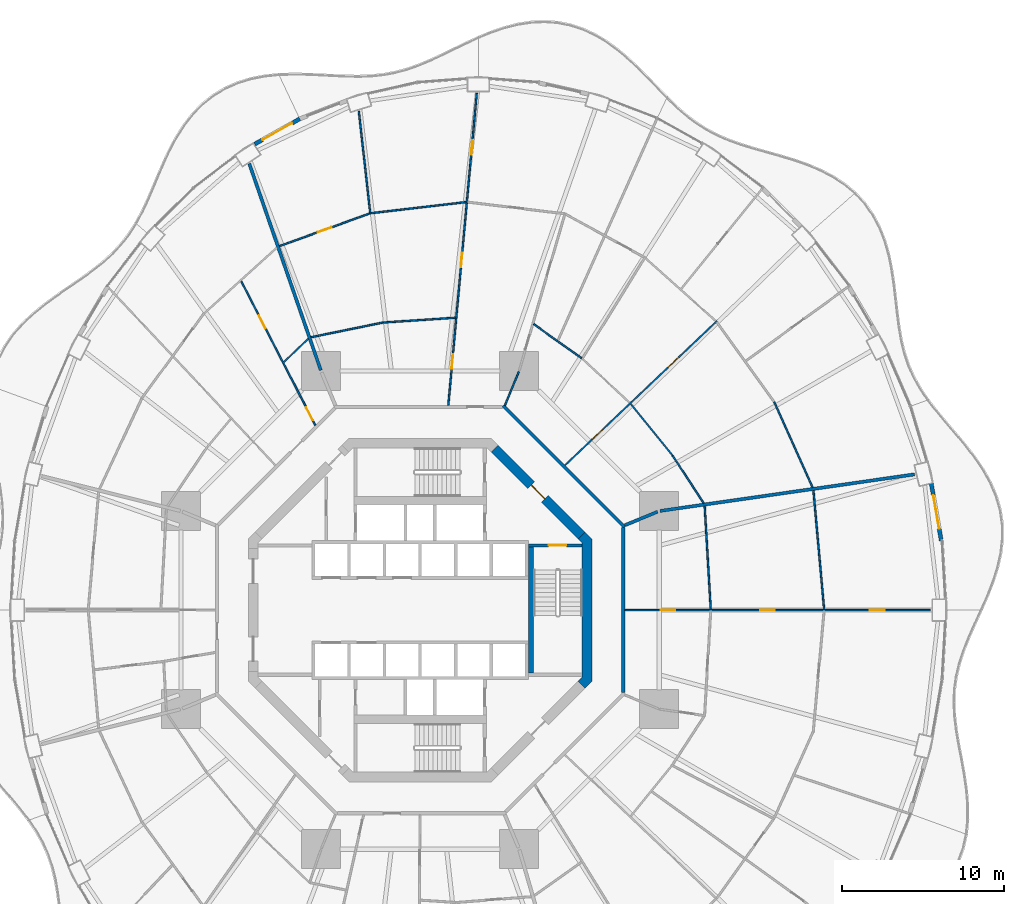
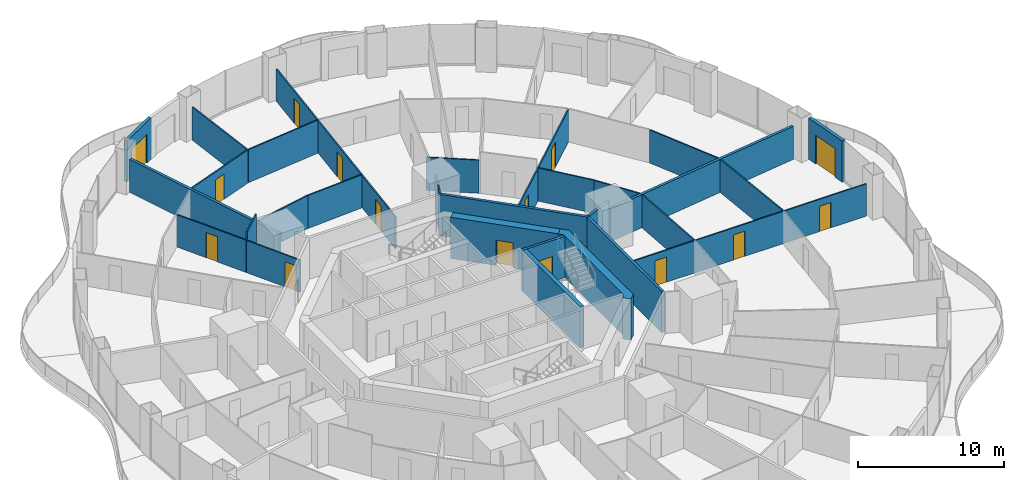
# One storey, part 18 of 22: 28 walls, 15 doors, 15 openings.
"""IFC4 building model written with IfcOpenShell, lengths in metres."""

from ifc_helpers import new_model, si_unit, direction, frame, frame_2d, origin, place, context, subcontext, project, spatial, polyline, rectangle, outline, extrude, material, layer, layer_set, type_object, element, fill, save


model = new_model("IFC4")

# Units and contexts
model_context = context("Model", 3, precision=1e-05, world=origin(), true_north=direction((0.0, 1.0)))
body_context = subcontext(model_context, "Body", "Model", "MODEL_VIEW")
ifc_project = project(units=[si_unit("LENGTHUNIT", "METRE"), si_unit("AREAUNIT", "SQUARE_METRE"), si_unit("VOLUMEUNIT", "CUBIC_METRE"), si_unit("PLANEANGLEUNIT", "RADIAN"), si_unit("MASSUNIT", "GRAM", prefix="KILO")], contexts=[model_context])

# Site, building, storey
site_placement = place(None, origin())
site = spatial("IfcSite", under=ifc_project, at=site_placement, CompositionType="ELEMENT")
building_placement = place(site_placement, origin())
building = spatial("IfcBuilding", under=site, at=building_placement, Name="Nagisa Residences", CompositionType="ELEMENT")
storey_placement = place(building_placement, frame((0.0, 0.0, 49.199951171875)))
storey = spatial("IfcBuildingStorey", under=building, at=storey_placement, Name="L11", CompositionType="ELEMENT", Elevation=49.199951171875)

# Walls
ifc_material_1 = material(Name="Gypsum board on steel studs", Category="steel")
ifc_layer_1 = layer(ifc_material_1, 0.199951171875)
ifc_layer_set_1 = layer_set([ifc_layer_1], Name="Apartment compartment wall EI60 200")
wall_type_1 = type_object("IfcWallType", Name="Apartment compartment wall EI60 200", PredefinedType="PARTITIONING", material=ifc_layer_set_1)
wall_1_placement = place(storey_placement, frame((12.6572265625, 5.24267578125, 0.0), z_axis=(0.0, 0.0, 1.0), x_axis=(0.923853160736, 0.382747093259, 0.0)))
element("IfcWall", 1, at=wall_1_placement, inside=storey, type_object=wall_type_1, Name="wall:L11:u00", PredefinedType="PARTITIONING", context=body_context, shape_type="SweptSolid", body=[
    extrude(rectangle(XDim=2.199951171875, YDim=0.199951171875, at=frame_2d((1.10009765625, 0.0))), origin(), (0.0, 0.0, 1.0), 3.43994140625),
])
wall_2_placement = place(storey_placement, frame((14.83154296875, 6.130126953125, 0.0), z_axis=(0.0, 0.0, 1.0), x_axis=(0.989836541293, 0.142209779978, 0.0)))
element("IfcWall", 2, at=wall_2_placement, inside=storey, type_object=wall_type_1, Name="wall:L11:u01", PredefinedType="PARTITIONING", context=body_context, shape_type="SweptSolid", body=[
    extrude(rectangle(XDim=15.9091796875, YDim=0.199951171875, at=frame_2d((7.95458984375, 0.0))), origin(), (0.0, 0.0, 1.0), 2.756103515625),
])
wall_3_placement = place(storey_placement, frame((-6.139404296875, 14.829345703125, 0.0), z_axis=(0.0, 0.0, 1.0), x_axis=(-0.327178799566, 0.944962450637, 0.0)))
element("IfcWall", 3, at=wall_3_placement, inside=storey, type_object=wall_type_1, Name="wall:L11:u03", PredefinedType="PARTITIONING", context=body_context, shape_type="SweptSolid", body=[
    extrude(rectangle(XDim=13.517333984375, YDim=0.199951171875, at=frame_2d((6.7587890625, 0.0))), origin(), (0.0, 0.0, 1.0), 2.756103515625),
])
ifc_material_2 = material(Name="Gypsum board on steel studs", Category="steel")
ifc_layer_2 = layer(ifc_material_2, 0.199951171875)
ifc_layer_set_2 = layer_set([ifc_layer_2], Name="Apartment entry wall EI60 200")
wall_type_2 = type_object("IfcWallType", Name="Apartment entry wall EI60 200", PredefinedType="PARTITIONING", material=ifc_layer_set_2)
wall_4_placement = place(storey_placement, frame((12.564697265625, -5.1044921875, 0.0), z_axis=(0.0, 0.0, 1.0), x_axis=(0.0, 1.0, 0.0)))
element("IfcWall", 4, at=wall_4_placement, inside=storey, type_object=wall_type_2, Name="wall:L11:u10", PredefinedType="PARTITIONING", context=body_context, shape_type="SweptSolid", body=[
    extrude(rectangle(XDim=10.208984375, YDim=0.199951171875, at=frame_2d((5.1044921875, 0.0))), origin(), (0.0, 0.0, 1.0), 3.43994140625),
])
wall_5_placement = place(storey_placement, frame((12.635498046875, 5.1337890625, 0.0), z_axis=(0.0, 0.0, 1.0), x_axis=(-0.707106781187, 0.707106781187, 0.0)))
element("IfcWall", 5, at=wall_5_placement, inside=storey, type_object=wall_type_2, Name="wall:L11:u11", PredefinedType="PARTITIONING", context=body_context, shape_type="SweptSolid", body=[
    extrude(rectangle(XDim=10.609130859375, YDim=0.199951171875, at=frame_2d((5.3046875, 0.0))), origin(), (0.0, 0.0, 1.0), 3.43994140625),
])

# Wall, openings, doors
ifc_material_3 = material(Name="Gypsum board on steel studs", Category="steel")
ifc_layer_3 = layer(ifc_material_3, 0.10009765625)
ifc_layer_set_3 = layer_set([ifc_layer_3], Name="Apartment partition 100")
wall_type_3 = type_object("IfcWallType", Name="Apartment partition 100", PredefinedType="PARTITIONING", material=ifc_layer_set_3)
wall_6_placement = place(storey_placement, frame((12.664794921875, 0.0, 0.0), z_axis=(0.0, 0.0, 1.0), x_axis=(1.0, 0.0, 0.0)))
wall_6 = element("IfcWall", 6, at=wall_6_placement, inside=storey, type_object=wall_type_3, Name="wall:L11:u18", PredefinedType="PARTITIONING", context=body_context, shape_type="SweptSolid", body=[
    extrude(rectangle(XDim=18.88525390625, YDim=0.10009765625, at=frame_2d((9.442626953125, 0.0))), origin(), (0.0, 0.0, 1.0), 2.68701171875),
])
opening_1_placement = place(wall_6_placement, frame((2.204833984375, 0.0, 0.0)))
opening_1 = element("IfcOpeningElement", 7, at=opening_1_placement, cuts=wall_6, Name="Opening L11-U32", PredefinedType="OPENING", context=body_context, shape_type="SweptSolid", body=[
    extrude(rectangle(XDim=0.89990234375, YDim=2.10009765625, at=frame_2d((0.449951171875, 1.050048828125))), frame((0.0, 0.06005859375, 0.0), z_axis=(0.0, -1.0, 0.0), x_axis=(1.0, 0.0, 0.0)), (0.0, 0.0, 1.0), 0.1201171875),
])
opening_2_placement = place(wall_6_placement, frame((8.36572265625, 0.0, 0.0)))
opening_2 = element("IfcOpeningElement", 8, at=opening_2_placement, cuts=wall_6, Name="Opening L11-U36", PredefinedType="OPENING", context=body_context, shape_type="SweptSolid", body=[
    extrude(rectangle(XDim=0.89990234375, YDim=2.10009765625, at=frame_2d((0.449951171875, 1.050048828125))), frame((0.0, 0.06005859375, 0.0), z_axis=(0.0, -1.0, 0.0), x_axis=(1.0, 0.0, 0.0)), (0.0, 0.0, 1.0), 0.1201171875),
])
opening_3_placement = place(wall_6_placement, frame((15.153564453125, 0.0, 0.0)))
opening_3 = element("IfcOpeningElement", 9, at=opening_3_placement, cuts=wall_6, Name="Opening L11-U41", PredefinedType="OPENING", context=body_context, shape_type="SweptSolid", body=[
    extrude(rectangle(XDim=0.89990234375, YDim=2.10009765625, at=frame_2d((0.449951171875, 1.050048828125))), frame((0.0, 0.06005859375, 0.0), z_axis=(0.0, -1.0, 0.0), x_axis=(1.0, 0.0, 0.0)), (0.0, 0.0, 1.0), 0.1201171875),
])
ifc_material_4 = material(Name="Timber door set", Category="wood")
door_type_1 = type_object("IfcDoorType", Name="Apartment door 900x2100", OperationType="NOTDEFINED", PredefinedType="DOOR", material=ifc_material_4)
door_1_placement = place(opening_1_placement, origin())
door_1 = element("IfcDoor", 10, at=door_1_placement, inside=storey, type_object=door_type_1, Name="Door to store, Apartment 11D", OperationType="SINGLE_SWING_RIGHT", OverallHeight=2.10009765625, OverallWidth=0.89990234375, PredefinedType="DOOR", context=body_context, shape_type="SweptSolid", body=[
    extrude(rectangle(XDim=0.89990234375, YDim=2.10009765625, at=frame_2d((0.449951171875, 1.050048828125))), frame((0.0, 0.02490234375, 0.0), z_axis=(0.0, -1.0, 0.0), x_axis=(1.0, 0.0, 0.0)), (0.0, 0.0, 1.0), 0.050048828125),
])
fill(opening_1, door_1)
door_2_placement = place(opening_2_placement, origin())
door_2 = element("IfcDoor", 11, at=door_2_placement, inside=storey, type_object=door_type_1, Name="Door to family room, Apartment 11D", OperationType="SINGLE_SWING_RIGHT", OverallHeight=2.10009765625, OverallWidth=0.89990234375, PredefinedType="DOOR", context=body_context, shape_type="SweptSolid", body=[
    extrude(rectangle(XDim=0.89990234375, YDim=2.10009765625, at=frame_2d((0.449951171875, 1.050048828125))), frame((0.0, 0.02490234375, 0.0), z_axis=(0.0, -1.0, 0.0), x_axis=(1.0, 0.0, 0.0)), (0.0, 0.0, 1.0), 0.050048828125),
])
fill(opening_2, door_2)
door_3_placement = place(opening_3_placement, origin())
door_3 = element("IfcDoor", 12, at=door_3_placement, inside=storey, type_object=door_type_1, Name="Door to family room, Apartment 11D", OperationType="SINGLE_SWING_LEFT", OverallHeight=2.10009765625, OverallWidth=0.89990234375, PredefinedType="DOOR", context=body_context, shape_type="SweptSolid", body=[
    extrude(rectangle(XDim=0.89990234375, YDim=2.10009765625, at=frame_2d((0.449951171875, 1.050048828125))), frame((0.0, 0.02490234375, 0.0), z_axis=(0.0, -1.0, 0.0), x_axis=(1.0, 0.0, 0.0)), (0.0, 0.0, 1.0), 0.050048828125),
])
fill(opening_3, door_3)

# Walls
wall_7_placement = place(storey_placement, frame((17.971435546875, 0.0498046875, 0.0), z_axis=(0.0, 0.0, 1.0), x_axis=(-0.058513659907, 0.998286607946, 0.0)))
element("IfcWall", 13, at=wall_7_placement, inside=storey, type_object=wall_type_3, Name="wall:L11:u19", PredefinedType="PARTITIONING", context=body_context, shape_type="SweptSolid", body=[
    extrude(rectangle(XDim=6.387939453125, YDim=0.10009765625, at=frame_2d((3.19384765625, 0.0))), origin(), (0.0, 0.0, 1.0), 2.756103515625),
])
wall_8_placement = place(storey_placement, frame((24.982177734375, 0.0498046875, 0.0), z_axis=(0.0, 0.0, 1.0), x_axis=(-0.08944290521, 0.995991951126, 0.0)))
element("IfcWall", 14, at=wall_8_placement, inside=storey, type_object=wall_type_3, Name="wall:L11:u21", PredefinedType="PARTITIONING", context=body_context, shape_type="SweptSolid", body=[
    extrude(rectangle(XDim=7.37255859375, YDim=0.10009765625, at=frame_2d((3.686279296875, 0.0))), origin(), (0.0, 0.0, 1.0), 2.756103515625),
])
wall_9_placement = place(storey_placement, frame((17.537109375, 6.6103515625, 0.0), z_axis=(0.0, 0.0, 1.0), x_axis=(-0.547637987196, 0.836715384692, 0.0)))
element("IfcWall", 15, at=wall_9_placement, inside=storey, type_object=wall_type_3, Name="wall:L11:u23", PredefinedType="PARTITIONING", context=body_context, shape_type="SweptSolid", body=[
    extrude(rectangle(XDim=3.52001953125, YDim=0.10009765625, at=frame_2d((1.760009765625, 0.0))), origin(), (0.0, 0.0, 1.0), 2.756103515625),
])
wall_10_placement = place(storey_placement, frame((24.272705078125, 7.583740234375, 0.0), z_axis=(0.0, 0.0, 1.0), x_axis=(-0.410201529109, 0.911994904326, 0.0)))
element("IfcWall", 16, at=wall_10_placement, inside=storey, type_object=wall_type_3, Name="wall:L11:u24", PredefinedType="PARTITIONING", context=body_context, shape_type="SweptSolid", body=[
    extrude(rectangle(XDim=5.786865234375, YDim=0.10009765625, at=frame_2d((2.8935546875, 0.0))), origin(), (0.0, 0.0, 1.0), 2.756103515625),
])
wall_11_placement = place(storey_placement, frame((15.613525390625, 9.55859375, 0.0), z_axis=(0.0, 0.0, 1.0), x_axis=(-0.63012473344, 0.776493928056, 0.0)))
element("IfcWall", 17, at=wall_11_placement, inside=storey, type_object=wall_type_3, Name="wall:L11:u25", PredefinedType="PARTITIONING", context=body_context, shape_type="SweptSolid", body=[
    extrude(rectangle(XDim=4.1064453125, YDim=0.10009765625, at=frame_2d((2.05322265625, 0.0))), origin(), (0.0, 0.0, 1.0), 2.756103515625),
])

# Wall, openings, doors
wall_12_placement = place(storey_placement, frame((8.95703125, 8.953369140625, 0.0), z_axis=(0.0, 0.0, 1.0), x_axis=(0.725250022034, 0.688485588476, 0.0)))
wall_12 = element("IfcWall", 18, at=wall_12_placement, inside=storey, type_object=wall_type_3, Name="wall:L11:u28", PredefinedType="PARTITIONING", context=body_context, shape_type="SweptSolid", body=[
    extrude(rectangle(XDim=12.962646484375, YDim=0.10009765625, at=frame_2d((6.4814453125, 0.0))), origin(), (0.0, 0.0, 1.0), 2.68701171875),
])
opening_4_placement = place(wall_12_placement, frame((2.33349609375, 0.0, 0.0)))
opening_4 = element("IfcOpeningElement", 19, at=opening_4_placement, cuts=wall_12, Name="Opening L11-U54", PredefinedType="OPENING", context=body_context, shape_type="SweptSolid", body=[
    extrude(rectangle(XDim=0.89990234375, YDim=2.10009765625, at=frame_2d((0.449951171875, 1.050048828125))), frame((0.0, 0.06005859375, 0.0), z_axis=(0.0, -1.0, 0.0), x_axis=(1.0, 0.0, 0.0)), (0.0, 0.0, 1.0), 0.1201171875),
])
opening_5_placement = place(wall_12_placement, frame((8.78955078125, 0.0, 0.0)))
opening_5 = element("IfcOpeningElement", 20, at=opening_5_placement, cuts=wall_12, Name="Opening L11-U55", PredefinedType="OPENING", context=body_context, shape_type="SweptSolid", body=[
    extrude(rectangle(XDim=0.89990234375, YDim=2.10009765625, at=frame_2d((0.449951171875, 1.050048828125))), frame((0.0, 0.06005859375, 0.0), z_axis=(0.0, -1.0, 0.0), x_axis=(1.0, 0.0, 0.0)), (0.0, 0.0, 1.0), 0.1201171875),
])
door_4_placement = place(opening_4_placement, frame((0.89990234375, 0.0, 0.0), x_axis=(-1.0, 0.0, 0.0)))
door_4 = element("IfcDoor", 21, at=door_4_placement, inside=storey, type_object=door_type_1, Name="Door to laundry, Apartment 11E", OperationType="SINGLE_SWING_LEFT", OverallHeight=2.10009765625, OverallWidth=0.89990234375, PredefinedType="DOOR", context=body_context, shape_type="SweptSolid", body=[
    extrude(rectangle(XDim=0.89990234375, YDim=2.10009765625, at=frame_2d((0.449951171875, 1.050048828125))), frame((0.0, 0.02490234375, 0.0), z_axis=(0.0, -1.0, 0.0), x_axis=(1.0, 0.0, 0.0)), (0.0, 0.0, 1.0), 0.050048828125),
])
fill(opening_4, door_4)
door_5_placement = place(opening_5_placement, frame((0.89990234375, 0.0, 0.0), x_axis=(-1.0, 0.0, 0.0)))
door_5 = element("IfcDoor", 22, at=door_5_placement, inside=storey, type_object=door_type_1, Name="Door to dining room, Apartment 11E", OperationType="SINGLE_SWING_RIGHT", OverallHeight=2.10009765625, OverallWidth=0.89990234375, PredefinedType="DOOR", context=body_context, shape_type="SweptSolid", body=[
    extrude(rectangle(XDim=0.89990234375, YDim=2.10009765625, at=frame_2d((0.449951171875, 1.050048828125))), frame((0.0, 0.02490234375, 0.0), z_axis=(0.0, -1.0, 0.0), x_axis=(1.0, 0.0, 0.0)), (0.0, 0.0, 1.0), 0.050048828125),
])
fill(opening_5, door_5)

# Walls
wall_13_placement = place(storey_placement, frame((9.98876953125, 15.57421875, 0.0), z_axis=(0.0, 0.0, 1.0), x_axis=(-0.81494477814, 0.57953861699, 0.0)))
element("IfcWall", 23, at=wall_13_placement, inside=storey, type_object=wall_type_3, Name="wall:L11:u33", PredefinedType="PARTITIONING", context=body_context, shape_type="SweptSolid", body=[
    extrude(rectangle(XDim=3.644287109375, YDim=0.10009765625, at=frame_2d((1.822265625, 0.0))), origin(), (0.0, 0.0, 1.0), 2.756103515625),
])
wall_14_placement = place(storey_placement, frame((5.24267578125, 12.6572265625, 0.0), z_axis=(0.0, 0.0, 1.0), x_axis=(0.382719158442, 0.923864733477, 0.0)))
element("IfcWall", 24, at=wall_14_placement, inside=storey, type_object=wall_type_3, Name="wall:L11:u36", PredefinedType="PARTITIONING", context=body_context, shape_type="SweptSolid", body=[
    extrude(rectangle(XDim=2.25, YDim=0.10009765625, at=frame_2d((1.125, 0.0))), origin(), (0.0, 0.0, 1.0), 3.43994140625),
])

# Wall, openings, doors
wall_15_placement = place(storey_placement, frame((1.743896484375, 12.664306640625, 0.0), z_axis=(0.0, 0.0, 1.0), x_axis=(0.090893639596, 0.995860605849, 0.0)))
wall_15 = element("IfcWall", 25, at=wall_15_placement, inside=storey, type_object=wall_type_3, Name="wall:L11:u39", PredefinedType="PARTITIONING", context=body_context, shape_type="SweptSolid", body=[
    extrude(rectangle(XDim=19.3740234375, YDim=0.10009765625, at=frame_2d((9.68701171875, 0.0))), origin(), (0.0, 0.0, 1.0), 2.68701171875),
])
opening_6_placement = place(wall_15_placement, frame((2.270263671875, 0.0, 0.0)))
opening_6 = element("IfcOpeningElement", 26, at=opening_6_placement, cuts=wall_15, Name="Opening L11-U45", PredefinedType="OPENING", context=body_context, shape_type="SweptSolid", body=[
    extrude(rectangle(XDim=0.89990234375, YDim=2.10009765625, at=frame_2d((0.449951171875, 1.050048828125))), frame((0.0, 0.06005859375, 0.0), z_axis=(0.0, -1.0, 0.0), x_axis=(1.0, 0.0, 0.0)), (0.0, 0.0, 1.0), 0.1201171875),
])
opening_7_placement = place(wall_15_placement, frame((8.58154296875, 0.0, 0.0)))
opening_7 = element("IfcOpeningElement", 27, at=opening_7_placement, cuts=wall_15, Name="Opening L11-U48", PredefinedType="OPENING", context=body_context, shape_type="SweptSolid", body=[
    extrude(rectangle(XDim=0.89990234375, YDim=2.10009765625, at=frame_2d((0.449951171875, 1.050048828125))), frame((0.0, 0.06005859375, 0.0), z_axis=(0.0, -1.0, 0.0), x_axis=(1.0, 0.0, 0.0)), (0.0, 0.0, 1.0), 0.1201171875),
])
opening_8_placement = place(wall_15_placement, frame((15.54833984375, 0.0, 0.0)))
opening_8 = element("IfcOpeningElement", 28, at=opening_8_placement, cuts=wall_15, Name="Opening L11-U52", PredefinedType="OPENING", context=body_context, shape_type="SweptSolid", body=[
    extrude(rectangle(XDim=0.89990234375, YDim=2.10009765625, at=frame_2d((0.449951171875, 1.050048828125))), frame((0.0, 0.06005859375, 0.0), z_axis=(0.0, -1.0, 0.0), x_axis=(1.0, 0.0, 0.0)), (0.0, 0.0, 1.0), 0.1201171875),
])
door_6_placement = place(opening_6_placement, origin())
door_6 = element("IfcDoor", 29, at=door_6_placement, inside=storey, type_object=door_type_1, Name="Door to store, Apartment 11E", OperationType="SINGLE_SWING_LEFT", OverallHeight=2.10009765625, OverallWidth=0.89990234375, PredefinedType="DOOR", context=body_context, shape_type="SweptSolid", body=[
    extrude(rectangle(XDim=0.89990234375, YDim=2.10009765625, at=frame_2d((0.449951171875, 1.050048828125))), frame((0.0, 0.02490234375, 0.0), z_axis=(0.0, -1.0, 0.0), x_axis=(1.0, 0.0, 0.0)), (0.0, 0.0, 1.0), 0.050048828125),
])
fill(opening_6, door_6)
door_7_placement = place(opening_7_placement, origin())
door_7 = element("IfcDoor", 30, at=door_7_placement, inside=storey, type_object=door_type_1, Name="Door to dining room, Apartment 11E", OperationType="SINGLE_SWING_RIGHT", OverallHeight=2.10009765625, OverallWidth=0.89990234375, PredefinedType="DOOR", context=body_context, shape_type="SweptSolid", body=[
    extrude(rectangle(XDim=0.89990234375, YDim=2.10009765625, at=frame_2d((0.449951171875, 1.050048828125))), frame((0.0, 0.02490234375, 0.0), z_axis=(0.0, -1.0, 0.0), x_axis=(1.0, 0.0, 0.0)), (0.0, 0.0, 1.0), 0.050048828125),
])
fill(opening_7, door_7)
door_8_placement = place(opening_8_placement, origin())
door_8 = element("IfcDoor", 31, at=door_8_placement, inside=storey, type_object=door_type_1, Name="Door to master bedroom, Apartment 11E", OperationType="SINGLE_SWING_RIGHT", OverallHeight=2.10009765625, OverallWidth=0.89990234375, PredefinedType="DOOR", context=body_context, shape_type="SweptSolid", body=[
    extrude(rectangle(XDim=0.89990234375, YDim=2.10009765625, at=frame_2d((0.449951171875, 1.050048828125))), frame((0.0, 0.02490234375, 0.0), z_axis=(0.0, -1.0, 0.0), x_axis=(1.0, 0.0, 0.0)), (0.0, 0.0, 1.0), 0.050048828125),
])
fill(opening_8, door_8)

# Walls
wall_16_placement = place(storey_placement, frame((2.1884765625, 18.078857421875, 0.0), z_axis=(0.0, 0.0, 1.0), x_axis=(-0.997791437766, -0.066424744789, 0.0)))
element("IfcWall", 32, at=wall_16_placement, inside=storey, type_object=wall_type_3, Name="wall:L11:u40", PredefinedType="PARTITIONING", context=body_context, shape_type="SweptSolid", body=[
    extrude(rectangle(XDim=4.46923828125, YDim=0.10009765625, at=frame_2d((2.234619140625, 0.0))), origin(), (0.0, 0.0, 1.0), 2.756103515625),
])
wall_17_placement = place(storey_placement, frame((2.841552734375, 25.228759765625, 0.0), z_axis=(0.0, 0.0, 1.0), x_axis=(-0.993255612046, -0.115945198862, 0.0)))
element("IfcWall", 33, at=wall_17_placement, inside=storey, type_object=wall_type_3, Name="wall:L11:u41", PredefinedType="PARTITIONING", context=body_context, shape_type="SweptSolid", body=[
    extrude(rectangle(XDim=5.91259765625, YDim=0.10009765625, at=frame_2d((2.956298828125, 0.0))), origin(), (0.0, 0.0, 1.0), 2.756103515625),
])
wall_18_placement = place(storey_placement, frame((-2.27197265625, 17.788818359375, 0.0), z_axis=(0.0, 0.0, 1.0), x_axis=(-0.979595137747, -0.200981009307, 0.0)))
element("IfcWall", 34, at=wall_18_placement, inside=storey, type_object=wall_type_3, Name="wall:L11:u42", PredefinedType="PARTITIONING", context=body_context, shape_type="SweptSolid", body=[
    extrude(rectangle(XDim=4.5625, YDim=0.10009765625, at=frame_2d((2.28125, 0.0))), origin(), (0.0, 0.0, 1.0), 2.756103515625),
])
wall_19_placement = place(storey_placement, frame((-3.0751953125, 24.48779296875, 0.0), z_axis=(0.0, 0.0, 1.0), x_axis=(-0.111705235978, 0.993741384997, 0.0)))
element("IfcWall", 35, at=wall_19_placement, inside=storey, type_object=wall_type_3, Name="wall:L11:u43", PredefinedType="PARTITIONING", context=body_context, shape_type="SweptSolid", body=[
    extrude(rectangle(XDim=6.39501953125, YDim=0.10009765625, at=frame_2d((3.197509765625, 0.0))), origin(), (0.0, 0.0, 1.0), 2.756103515625),
])

# Wall, opening, door
wall_20_placement = place(storey_placement, frame((-3.1279296875, 24.5205078125, 0.0), z_axis=(0.0, 0.0, 1.0), x_axis=(-0.940401494588, -0.340066212636, 0.0)))
wall_20 = element("IfcWall", 36, at=wall_20_placement, inside=storey, type_object=wall_type_3, Name="wall:L11:u44", PredefinedType="PARTITIONING", context=body_context, shape_type="SweptSolid", body=[
    extrude(rectangle(XDim=5.9169921875, YDim=0.10009765625, at=frame_2d((2.95849609375, 0.0))), origin(), (0.0, 0.0, 1.0), 2.756103515625),
])
opening_9_placement = place(wall_20_placement, frame((2.508544921875, 0.0, 0.0)))
opening_9 = element("IfcOpeningElement", 37, at=opening_9_placement, cuts=wall_20, Name="Opening L11-U53", PredefinedType="OPENING", context=body_context, shape_type="SweptSolid", body=[
    extrude(rectangle(XDim=0.89990234375, YDim=2.10009765625, at=frame_2d((0.449951171875, 1.050048828125))), frame((0.0, 0.06005859375, 0.0), z_axis=(0.0, -1.0, 0.0), x_axis=(1.0, 0.0, 0.0)), (0.0, 0.0, 1.0), 0.1201171875),
])
door_9_placement = place(opening_9_placement, frame((0.89990234375, 0.0, 0.0), x_axis=(-1.0, 0.0, 0.0)))
door_9 = element("IfcDoor", 38, at=door_9_placement, inside=storey, type_object=door_type_1, Name="Door to living room, Apartment 11E", OperationType="SINGLE_SWING_RIGHT", OverallHeight=2.10009765625, OverallWidth=0.89990234375, PredefinedType="DOOR", context=body_context, shape_type="SweptSolid", body=[
    extrude(rectangle(XDim=0.89990234375, YDim=2.10009765625, at=frame_2d((0.449951171875, 1.050048828125))), frame((0.0, 0.02490234375, 0.0), z_axis=(0.0, -1.0, 0.0), x_axis=(1.0, 0.0, 0.0)), (0.0, 0.0, 1.0), 0.050048828125),
])
fill(opening_9, door_9)

# Wall
wall_21_placement = place(storey_placement, frame((-6.911865234375, 16.782470703125, 0.0), z_axis=(0.0, 0.0, 1.0), x_axis=(-0.722789289931, -0.691068478778, 0.0)))
element("IfcWall", 39, at=wall_21_placement, inside=storey, type_object=wall_type_3, Name="wall:L11:u45", PredefinedType="PARTITIONING", context=body_context, shape_type="SweptSolid", body=[
    extrude(rectangle(XDim=2.193603515625, YDim=0.10009765625, at=frame_2d((1.0966796875, 0.0))), origin(), (0.0, 0.0, 1.0), 3.43994140625),
])

# Wall, openings, doors
wall_22_placement = place(storey_placement, frame((-6.47705078125, 11.427001953125, 0.0), z_axis=(0.0, 0.0, 1.0), x_axis=(-0.457464037982, 0.889228122561, 0.0)))
wall_22 = element("IfcWall", 40, at=wall_22_placement, inside=storey, type_object=wall_type_3, Name="wall:L11:u47", PredefinedType="PARTITIONING", context=body_context, shape_type="SweptSolid", body=[
    extrude(rectangle(XDim=10.03173828125, YDim=0.10009765625, at=frame_2d((5.015869140625, 0.0))), origin(), (0.0, 0.0, 1.0), 2.68701171875),
])
opening_10_placement = place(wall_22_placement, frame((0.35009765625, 0.0, 0.0)))
opening_10 = element("IfcOpeningElement", 41, at=opening_10_placement, cuts=wall_22, Name="Opening L11-U02", PredefinedType="OPENING", context=body_context, shape_type="SweptSolid", body=[
    extrude(rectangle(XDim=0.89990234375, YDim=2.10009765625, at=frame_2d((0.449951171875, 1.050048828125))), frame((0.0, 0.06005859375, 0.0), z_axis=(0.0, -1.0, 0.0), x_axis=(1.0, 0.0, 0.0)), (0.0, 0.0, 1.0), 0.1201171875),
])
opening_11_placement = place(wall_22_placement, frame((6.735107421875, 0.0, 0.0)))
opening_11 = element("IfcOpeningElement", 42, at=opening_11_placement, cuts=wall_22, Name="Opening L11-U04", PredefinedType="OPENING", context=body_context, shape_type="SweptSolid", body=[
    extrude(rectangle(XDim=0.89990234375, YDim=2.10009765625, at=frame_2d((0.449951171875, 1.050048828125))), frame((0.0, 0.06005859375, 0.0), z_axis=(0.0, -1.0, 0.0), x_axis=(1.0, 0.0, 0.0)), (0.0, 0.0, 1.0), 0.1201171875),
])
door_10_placement = place(opening_10_placement, frame((0.89990234375, 0.0, 0.0), x_axis=(-1.0, 0.0, 0.0)))
door_10 = element("IfcDoor", 43, at=door_10_placement, inside=storey, type_object=door_type_1, Name="Door to family bathroom, Apartment 11A", OperationType="SINGLE_SWING_LEFT", OverallHeight=2.10009765625, OverallWidth=0.89990234375, PredefinedType="DOOR", context=body_context, shape_type="SweptSolid", body=[
    extrude(rectangle(XDim=0.89990234375, YDim=2.10009765625, at=frame_2d((0.449951171875, 1.050048828125))), frame((0.0, 0.02490234375, 0.0), z_axis=(0.0, -1.0, 0.0), x_axis=(1.0, 0.0, 0.0)), (0.0, 0.0, 1.0), 0.050048828125),
])
fill(opening_10, door_10)
door_11_placement = place(opening_11_placement, frame((0.89990234375, 0.0, 0.0), x_axis=(-1.0, 0.0, 0.0)))
door_11 = element("IfcDoor", 44, at=door_11_placement, inside=storey, type_object=door_type_1, Name="Door to family bathroom, Apartment 11A", OperationType="SINGLE_SWING_LEFT", OverallHeight=2.10009765625, OverallWidth=0.89990234375, PredefinedType="DOOR", context=body_context, shape_type="SweptSolid", body=[
    extrude(rectangle(XDim=0.89990234375, YDim=2.10009765625, at=frame_2d((0.449951171875, 1.050048828125))), frame((0.0, 0.02490234375, 0.0), z_axis=(0.0, -1.0, 0.0), x_axis=(1.0, 0.0, 0.0)), (0.0, 0.0, 1.0), 0.050048828125),
])
fill(opening_11, door_11)

# Wall, opening, door
ifc_material_5 = material(Name="Precast concrete C40/50", Category="concrete")
ifc_layer_4 = layer(ifc_material_5, 0.25)
ifc_layer_set_4 = layer_set([ifc_layer_4], Name="BALCONY DOOR WALL 250")
wall_type_4 = type_object("IfcWallType", Name="BALCONY DOOR WALL 250", PredefinedType="SOLIDWALL", material=ifc_layer_set_4)
wall_23_placement = place(storey_placement, frame((31.609130859375, 7.830078125, 0.0), z_axis=(0.0, 0.0, 1.0), x_axis=(0.172217377323, -0.98505897029, 0.0)))
wall_23 = element("IfcWall", 45, at=wall_23_placement, inside=storey, type_object=wall_type_4, Name="wall:L11:bay01", PredefinedType="SOLIDWALL", context=body_context, shape_type="SweptSolid", body=[
    extrude(rectangle(XDim=3.597900390625, YDim=0.25, at=frame_2d((1.798828125, 0.0))), origin(), (0.0, 0.0, 1.0), 3.43994140625),
])
opening_12_placement = place(wall_23_placement, frame((0.7490234375, 0.0, 0.0)))
opening_12 = element("IfcOpeningElement", 46, at=opening_12_placement, cuts=wall_23, Name="Opening BD-L11-01", PredefinedType="OPENING", context=body_context, shape_type="SweptSolid", body=[
    extrude(rectangle(XDim=2.10009765625, YDim=2.39990234375, at=frame_2d((1.050048828125, 1.199951171875))), frame((0.0, 0.135009765625, 0.0), z_axis=(0.0, -1.0, 0.0), x_axis=(1.0, 0.0, 0.0)), (0.0, 0.0, 1.0), 0.27001953125),
])
ifc_material_6 = material(Name="Aluminium and clear glass", Category="aluminium")
door_type_2 = type_object("IfcDoorType", Name="BALCONY SLIDING DOOR 2100x2400", OperationType="SLIDING_TO_LEFT", PredefinedType="DOOR", material=ifc_material_6)
door_12_placement = place(opening_12_placement, origin())
door_12 = element("IfcDoor", 47, at=door_12_placement, inside=storey, type_object=door_type_2, Name="door:L11:bay01", OperationType="SLIDING_TO_LEFT", OverallHeight=2.39990234375, OverallWidth=2.10009765625, PredefinedType="DOOR", context=body_context, shape_type="SweptSolid", body=[
    extrude(rectangle(XDim=2.10009765625, YDim=2.39990234375, at=frame_2d((1.050048828125, 1.199951171875))), frame((0.0, 0.02490234375, 0.0), z_axis=(0.0, -1.0, 0.0), x_axis=(1.0, 0.0, 0.0)), (0.0, 0.0, 1.0), 0.050048828125),
])
fill(opening_12, door_12)

wall_24_placement = place(storey_placement, frame((-10.228271484375, 28.8125, 0.0), z_axis=(0.0, 0.0, 1.0), x_axis=(0.872084295691, 0.489355679653, 0.0)))
wall_24 = element("IfcWall", 48, at=wall_24_placement, inside=storey, type_object=wall_type_4, Name="wall:L11:bay15", PredefinedType="SOLIDWALL", context=body_context, shape_type="SweptSolid", body=[
    extrude(rectangle(XDim=3.200927734375, YDim=0.25, at=frame_2d((1.6005859375, 0.0))), origin(), (0.0, 0.0, 1.0), 3.43994140625),
])
opening_13_placement = place(wall_24_placement, frame((0.550537109375, 0.0, 0.0)))
opening_13 = element("IfcOpeningElement", 49, at=opening_13_placement, cuts=wall_24, Name="Opening BD-L11-06", PredefinedType="OPENING", context=body_context, shape_type="SweptSolid", body=[
    extrude(rectangle(XDim=2.10009765625, YDim=2.39990234375, at=frame_2d((1.050048828125, 1.199951171875))), frame((0.0, 0.135009765625, 0.0), z_axis=(0.0, -1.0, 0.0), x_axis=(1.0, 0.0, 0.0)), (0.0, 0.0, 1.0), 0.27001953125),
])
door_13_placement = place(opening_13_placement, origin())
door_13 = element("IfcDoor", 50, at=door_13_placement, inside=storey, type_object=door_type_2, Name="door:L11:bay15", OperationType="SLIDING_TO_LEFT", OverallHeight=2.39990234375, OverallWidth=2.10009765625, PredefinedType="DOOR", context=body_context, shape_type="SweptSolid", body=[
    extrude(rectangle(XDim=2.10009765625, YDim=2.39990234375, at=frame_2d((1.050048828125, 1.199951171875))), frame((0.0, 0.02490234375, 0.0), z_axis=(0.0, -1.0, 0.0), x_axis=(1.0, 0.0, 0.0)), (0.0, 0.0, 1.0), 0.050048828125),
])
fill(opening_13, door_13)

ifc_material_7 = material(Name="Concrete C60", Category="concrete")
ifc_layer_5 = layer(ifc_material_7, 0.60009765625)
ifc_layer_set_5 = layer_set([ifc_layer_5], Name="Core shear wall 600")
wall_type_5 = type_object("IfcWallType", Name="Core shear wall 600", PredefinedType="SHEAR", material=ifc_layer_set_5)
wall_25_placement = place(storey_placement, frame((9.98828125, 4.613037109375, 0.0), z_axis=(0.0, 0.0, 1.0), x_axis=(-0.707106781187, 0.707106781187, 0.0)))
wall_25 = element("IfcWall", 51, at=wall_25_placement, inside=storey, type_object=wall_type_5, Name="wall:L11:core:flat1", PredefinedType="SHEAR", context=body_context, shape_type="SweptSolid", body=[
    extrude(rectangle(XDim=7.601806640625, YDim=0.60009765625, at=frame_2d((3.80078125, 0.0))), origin(), (0.0, 0.0, 1.0), 3.43994140625),
])
opening_14_placement = place(wall_25_placement, frame((3.200927734375, 0.0, 0.0)))
opening_14 = element("IfcOpeningElement", 52, at=opening_14_placement, cuts=wall_25, Name="Opening L11-C15", PredefinedType="OPENING", context=body_context, shape_type="SweptSolid", body=[
    extrude(rectangle(XDim=1.199951171875, YDim=2.10009765625, at=frame_2d((0.60009765625, 1.050048828125))), frame((0.0, 0.31005859375, 0.0), z_axis=(0.0, -1.0, 0.0), x_axis=(1.0, 0.0, 0.0)), (0.0, 0.0, 1.0), 0.6201171875),
])
ifc_material_8 = material(Name="Steel fire door", Category="steel")
door_type_3 = type_object("IfcDoorType", Name="Fire door EI60 1200x2100 single swing", OperationType="NOTDEFINED", PredefinedType="DOOR", material=ifc_material_8)
door_14_placement = place(opening_14_placement, origin())
door_14 = element("IfcDoor", 53, at=door_14_placement, inside=storey, type_object=door_type_3, Name="Firefighting lobby 1 door L11", OperationType="SINGLE_SWING_RIGHT", OverallHeight=2.10009765625, OverallWidth=1.199951171875, PredefinedType="DOOR", context=body_context, shape_type="SweptSolid", body=[
    extrude(rectangle(XDim=1.199951171875, YDim=2.10009765625, at=frame_2d((0.60009765625, 1.050048828125))), frame((0.0, 0.02490234375, 0.0), z_axis=(0.0, -1.0, 0.0), x_axis=(1.0, 0.0, 0.0)), (0.0, 0.0, 1.0), 0.050048828125),
])
fill(opening_14, door_14)

# Wall
wall_26_placement = place(storey_placement, origin())
element("IfcWall", 54, at=wall_26_placement, inside=storey, type_object=wall_type_5, Name="wall:L11:core:flat0", PredefinedType="SHEAR", context=body_context, shape_type="SweptSolid", body=[
    extrude(outline(polyline([(9.776123046875, -4.40087890625), (10.024658203125, -4.15234375), (10.024658203125, -3.801025390625), (10.024658203125, 4.15234375), (9.776123046875, 4.40087890625), (10.200439453125, 4.8251953125), (10.62451171875, 4.40087890625), (10.62451171875, -4.40087890625), (10.200439453125, -4.8251953125), (9.776123046875, -4.40087890625)])), origin(), (0.0, 0.0, 1.0), 3.43994140625),
])

# Wall, opening, door
ifc_material_9 = material(Name="Concrete C60", Category="concrete")
ifc_layer_6 = layer(ifc_material_9, 0.199951171875)
ifc_layer_set_6 = layer_set([ifc_layer_6], Name="Stair enclosure wall 200")
wall_type_6 = type_object("IfcWallType", Name="Stair enclosure wall 200", PredefinedType="SOLIDWALL", material=ifc_layer_set_6)
wall_27_placement = place(storey_placement, frame((6.699951171875, 4.0, 0.0), z_axis=(0.0, 0.0, 1.0), x_axis=(1.0, 0.0, 0.0)))
wall_27 = element("IfcWall", 55, at=wall_27_placement, inside=storey, type_object=wall_type_6, Name="wall:L11:SE_n", PredefinedType="SOLIDWALL", context=body_context, shape_type="SweptSolid", body=[
    extrude(rectangle(XDim=3.32470703125, YDim=0.199951171875, at=frame_2d((1.662353515625, 0.0))), origin(), (0.0, 0.0, 1.0), 3.43994140625),
])
opening_15_placement = place(wall_27_placement, frame((1.25, 0.0, 0.0)))
opening_15 = element("IfcOpeningElement", 56, at=opening_15_placement, cuts=wall_27, Name="Opening L11-C09", PredefinedType="OPENING", context=body_context, shape_type="SweptSolid", body=[
    extrude(rectangle(XDim=1.10009765625, YDim=2.10009765625, at=frame_2d((0.550048828125, 1.050048828125))), frame((0.0, 0.10986328125, 0.0), z_axis=(0.0, -1.0, 0.0), x_axis=(1.0, 0.0, 0.0)), (0.0, 0.0, 1.0), 0.219970703125),
])
ifc_material_10 = material(Name="Steel fire door", Category="steel")
door_type_4 = type_object("IfcDoorType", Name="Fire door EI90 1100x2100 single swing", OperationType="NOTDEFINED", PredefinedType="DOOR", material=ifc_material_10)
door_15_placement = place(opening_15_placement, frame((1.10009765625, 0.0, 0.0), x_axis=(-1.0, 0.0, 0.0)))
door_15 = element("IfcDoor", 57, at=door_15_placement, inside=storey, type_object=door_type_4, Name="Stair door ST-E L11", OperationType="SINGLE_SWING_LEFT", OverallHeight=2.10009765625, OverallWidth=1.10009765625, PredefinedType="DOOR", context=body_context, shape_type="SweptSolid", body=[
    extrude(rectangle(XDim=1.10009765625, YDim=2.10009765625, at=frame_2d((0.550048828125, 1.050048828125))), frame((0.0, 0.02490234375, 0.0), z_axis=(0.0, -1.0, 0.0), x_axis=(1.0, 0.0, 0.0)), (0.0, 0.0, 1.0), 0.050048828125),
])
fill(opening_15, door_15)

# Wall
wall_28_placement = place(storey_placement, origin())
element("IfcWall", 58, at=wall_28_placement, inside=storey, type_object=wall_type_6, Name="wall:L11:SE_w", PredefinedType="SOLIDWALL", context=body_context, shape_type="SweptSolid", body=[
    extrude(outline(polyline([(7.024658203125, -3.89990234375), (6.699951171875, -3.89990234375), (6.699951171875, 3.89990234375), (7.024658203125, 3.89990234375), (7.024658203125, -3.89990234375)])), origin(), (0.0, 0.0, 1.0), 3.43994140625),
])

save(model, "model.ifc")
